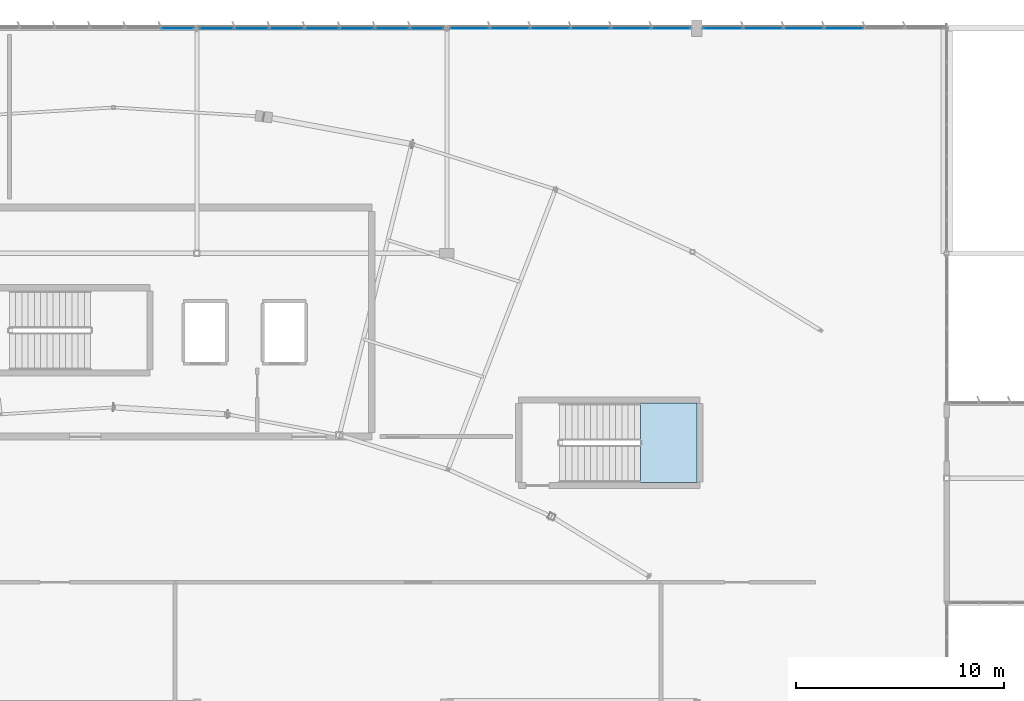
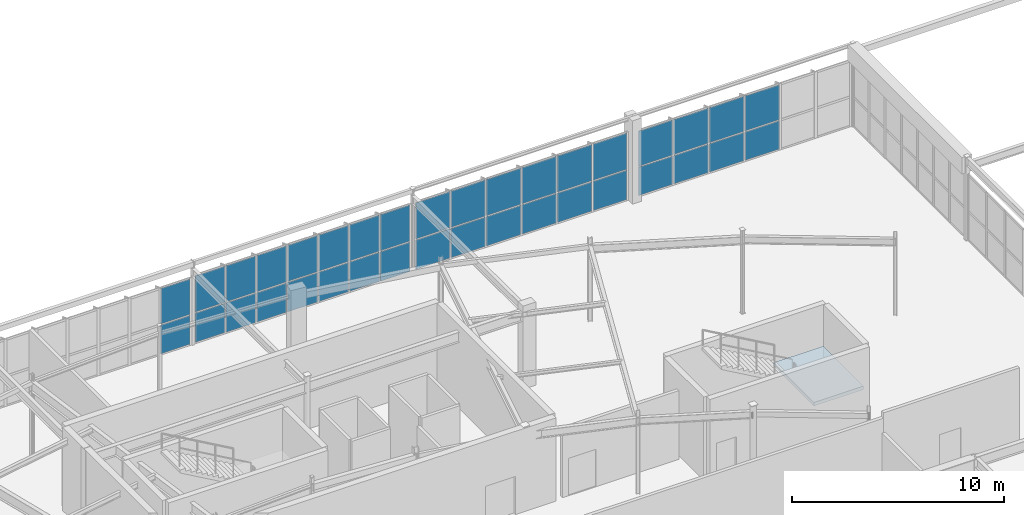
# One storey, part 118 of 186: 36 plates, 1 slab, 5 elements without a shape of their own.
"""IFC4 building model written with IfcOpenShell, lengths in metres."""

from ifc_helpers import new_model, si_unit, direction, frame, origin, origin_2d, place, context, subcontext, project, spatial, polyline, rectangle, outline, extrude, material, layer, layer_set, type_object, element, aggregate, save


model = new_model("IFC4")

# Units and contexts
model_context = context("Model", 3, precision=1e-05, world=origin(), true_north=direction((0.0, 1.0)))
body_context = subcontext(model_context, "Body", "Model", "MODEL_VIEW")
ifc_project = project(units=[si_unit("LENGTHUNIT", "METRE"), si_unit("AREAUNIT", "SQUARE_METRE"), si_unit("VOLUMEUNIT", "CUBIC_METRE"), si_unit("PLANEANGLEUNIT", "RADIAN"), si_unit("MASSUNIT", "GRAM", prefix="KILO")], contexts=[model_context])

# Site, building, storey
site_placement = place(None, origin())
site = spatial("IfcSite", under=ifc_project, at=site_placement, CompositionType="ELEMENT")
building_placement = place(site_placement, origin())
building = spatial("IfcBuilding", under=site, at=building_placement, Name="Tarnwether General Hospital", CompositionType="ELEMENT")
storey_placement = place(building_placement, frame((0.0, 0.0, 9.60009765625)))
storey = spatial("IfcBuildingStorey", under=building, at=storey_placement, Name="L02", CompositionType="ELEMENT", Elevation=9.60009765625)

# Curtain wall, plates
ifc_material_1 = material(Name="Anodised aluminium", Category="aluminium")
ifc_layer_1 = layer(ifc_material_1, 0.159912109375)
ifc_layer_set_1 = layer_set([ifc_layer_1], Name="Anodised aluminium")
curtain_wall_type = type_object("IfcCurtainWallType", Name="CW-17", PredefinedType="NOTDEFINED", material=ifc_layer_set_1)
curtain_wall_1_placement = place(storey_placement, origin())
curtain_wall_1 = element("IfcCurtainWall", 1, at=curtain_wall_1_placement, inside=storey, type_object=curtain_wall_type, Name="Curtain Wall CWG-L02-841_1260-0405", PredefinedType="NOTDEFINED")
ifc_material_2 = material(Name="Double glazed low-E glass", Category="glass")
ifc_layer_2 = layer(ifc_material_2, 0.028076171875)
ifc_layer_set_2 = layer_set([ifc_layer_2], Name="Double glazed low-E glass")
plate_type = type_object("IfcPlateType", Name="PT-CWP1", PredefinedType="CURTAIN_PANEL", material=ifc_layer_set_2)
plate_1_placement = place(storey_placement, frame((95.0556640625, 126.0, 0.059814453125), z_axis=(0.0, 0.0, 1.0), x_axis=(1.0, 0.0, 0.0)))
plate_1 = element("IfcPlate", 2, at=plate_1_placement, type_object=plate_type, Name="CW-17 panel 7.1", PredefinedType="CURTAIN_PANEL", context=body_context, shape_type="SweptSolid", body=[
    extrude(rectangle(XDim=1.600341796875, YDim=0.028076171875, at=origin_2d()), origin(), (0.0, 0.0, 1.0), 1.6591796875),
])
plate_2_placement = place(storey_placement, frame((95.0556640625, 126.0, 1.779052734375), z_axis=(0.0, 0.0, 1.0), x_axis=(1.0, 0.0, 0.0)))
plate_2 = element("IfcPlate", 3, at=plate_2_placement, type_object=plate_type, Name="CW-17 panel 7.2", PredefinedType="CURTAIN_PANEL", context=body_context, shape_type="SweptSolid", body=[
    extrude(rectangle(XDim=1.600341796875, YDim=0.028076171875, at=origin_2d()), origin(), (0.0, 0.0, 1.0), 2.0478515625),
])
aggregate(curtain_wall_1, [plate_1, plate_2])

curtain_wall_2_placement = place(storey_placement, origin())
curtain_wall_2 = element("IfcCurtainWall", 4, at=curtain_wall_2_placement, inside=storey, type_object=curtain_wall_type, Name="Curtain Wall CWG-L02-961_1260-0406", PredefinedType="NOTDEFINED")
plate_3_placement = place(storey_placement, frame((96.942626953125, 126.0, 0.06005859375), z_axis=(0.0, 0.0, 1.0), x_axis=(1.0, 0.0, 0.0)))
plate_3 = element("IfcPlate", 5, at=plate_3_placement, type_object=plate_type, Name="CW-17 panel 1.1", PredefinedType="CURTAIN_PANEL", context=body_context, shape_type="SweptSolid", body=[
    extrude(rectangle(XDim=1.59716796875, YDim=0.028076171875, at=origin_2d()), origin(), (0.0, 0.0, 1.0), 1.689697265625),
])
plate_4_placement = place(storey_placement, frame((96.942626953125, 126.0, 1.8095703125), z_axis=(0.0, 0.0, 1.0), x_axis=(1.0, 0.0, 0.0)))
plate_4 = element("IfcPlate", 6, at=plate_4_placement, type_object=plate_type, Name="CW-17 panel 1.2", PredefinedType="CURTAIN_PANEL", context=body_context, shape_type="SweptSolid", body=[
    extrude(rectangle(XDim=1.59716796875, YDim=0.028076171875, at=origin_2d()), origin(), (0.0, 0.0, 1.0), 2.085205078125),
])
plate_5_placement = place(storey_placement, frame((98.614990234375, 126.0, 0.06005859375), z_axis=(0.0, 0.0, 1.0), x_axis=(1.0, 0.0, 0.0)))
plate_5 = element("IfcPlate", 7, at=plate_5_placement, type_object=plate_type, Name="CW-17 panel 2.1", PredefinedType="CURTAIN_PANEL", context=body_context, shape_type="SweptSolid", body=[
    extrude(rectangle(XDim=1.627197265625, YDim=0.028076171875, at=origin_2d()), origin(), (0.0, 0.0, 1.0), 1.689697265625),
])
plate_6_placement = place(storey_placement, frame((98.614990234375, 126.0, 1.8095703125), z_axis=(0.0, 0.0, 1.0), x_axis=(1.0, 0.0, 0.0)))
plate_6 = element("IfcPlate", 8, at=plate_6_placement, type_object=plate_type, Name="CW-17 panel 2.2", PredefinedType="CURTAIN_PANEL", context=body_context, shape_type="SweptSolid", body=[
    extrude(rectangle(XDim=1.627197265625, YDim=0.028076171875, at=origin_2d()), origin(), (0.0, 0.0, 1.0), 2.085205078125),
])
plate_7_placement = place(storey_placement, frame((100.30224609375, 126.0, 0.06005859375), z_axis=(0.0, 0.0, 1.0), x_axis=(1.0, 0.0, 0.0)))
plate_7 = element("IfcPlate", 9, at=plate_7_placement, type_object=plate_type, Name="CW-17 panel 3.1", PredefinedType="CURTAIN_PANEL", context=body_context, shape_type="SweptSolid", body=[
    extrude(rectangle(XDim=1.627197265625, YDim=0.028076171875, at=origin_2d()), origin(), (0.0, 0.0, 1.0), 1.689697265625),
])
plate_8_placement = place(storey_placement, frame((100.30224609375, 126.0, 1.8095703125), z_axis=(0.0, 0.0, 1.0), x_axis=(1.0, 0.0, 0.0)))
plate_8 = element("IfcPlate", 10, at=plate_8_placement, type_object=plate_type, Name="CW-17 panel 3.2", PredefinedType="CURTAIN_PANEL", context=body_context, shape_type="SweptSolid", body=[
    extrude(rectangle(XDim=1.627197265625, YDim=0.028076171875, at=origin_2d()), origin(), (0.0, 0.0, 1.0), 2.085205078125),
])
plate_9_placement = place(storey_placement, frame((101.989501953125, 126.0, 0.06005859375), z_axis=(0.0, 0.0, 1.0), x_axis=(1.0, 0.0, 0.0)))
plate_9 = element("IfcPlate", 11, at=plate_9_placement, type_object=plate_type, Name="CW-17 panel 4.1", PredefinedType="CURTAIN_PANEL", context=body_context, shape_type="SweptSolid", body=[
    extrude(rectangle(XDim=1.627197265625, YDim=0.028076171875, at=origin_2d()), origin(), (0.0, 0.0, 1.0), 1.689697265625),
])
plate_10_placement = place(storey_placement, frame((101.989501953125, 126.0, 1.8095703125), z_axis=(0.0, 0.0, 1.0), x_axis=(1.0, 0.0, 0.0)))
plate_10 = element("IfcPlate", 12, at=plate_10_placement, type_object=plate_type, Name="CW-17 panel 4.2", PredefinedType="CURTAIN_PANEL", context=body_context, shape_type="SweptSolid", body=[
    extrude(rectangle(XDim=1.627197265625, YDim=0.028076171875, at=origin_2d()), origin(), (0.0, 0.0, 1.0), 2.085205078125),
])
plate_11_placement = place(storey_placement, frame((103.6767578125, 126.0, 0.06005859375), z_axis=(0.0, 0.0, 1.0), x_axis=(1.0, 0.0, 0.0)))
plate_11 = element("IfcPlate", 13, at=plate_11_placement, type_object=plate_type, Name="CW-17 panel 5.1", PredefinedType="CURTAIN_PANEL", context=body_context, shape_type="SweptSolid", body=[
    extrude(rectangle(XDim=1.627197265625, YDim=0.028076171875, at=origin_2d()), origin(), (0.0, 0.0, 1.0), 1.689697265625),
])
plate_12_placement = place(storey_placement, frame((103.6767578125, 126.0, 1.8095703125), z_axis=(0.0, 0.0, 1.0), x_axis=(1.0, 0.0, 0.0)))
plate_12 = element("IfcPlate", 14, at=plate_12_placement, type_object=plate_type, Name="CW-17 panel 5.2", PredefinedType="CURTAIN_PANEL", context=body_context, shape_type="SweptSolid", body=[
    extrude(rectangle(XDim=1.627197265625, YDim=0.028076171875, at=origin_2d()), origin(), (0.0, 0.0, 1.0), 2.085205078125),
])
plate_13_placement = place(storey_placement, frame((105.364013671875, 126.0, 0.06005859375), z_axis=(0.0, 0.0, 1.0), x_axis=(1.0, 0.0, 0.0)))
plate_13 = element("IfcPlate", 15, at=plate_13_placement, type_object=plate_type, Name="CW-17 panel 6.1", PredefinedType="CURTAIN_PANEL", context=body_context, shape_type="SweptSolid", body=[
    extrude(rectangle(XDim=1.627197265625, YDim=0.028076171875, at=origin_2d()), origin(), (0.0, 0.0, 1.0), 1.689697265625),
])
plate_14_placement = place(storey_placement, frame((105.364013671875, 126.0, 1.8095703125), z_axis=(0.0, 0.0, 1.0), x_axis=(1.0, 0.0, 0.0)))
plate_14 = element("IfcPlate", 16, at=plate_14_placement, type_object=plate_type, Name="CW-17 panel 6.2", PredefinedType="CURTAIN_PANEL", context=body_context, shape_type="SweptSolid", body=[
    extrude(rectangle(XDim=1.627197265625, YDim=0.028076171875, at=origin_2d()), origin(), (0.0, 0.0, 1.0), 2.085205078125),
])
plate_15_placement = place(storey_placement, frame((107.036376953125, 126.0, 0.06005859375), z_axis=(0.0, 0.0, 1.0), x_axis=(1.0, 0.0, 0.0)))
plate_15 = element("IfcPlate", 17, at=plate_15_placement, type_object=plate_type, Name="CW-17 panel 7.1", PredefinedType="CURTAIN_PANEL", context=body_context, shape_type="SweptSolid", body=[
    extrude(rectangle(XDim=1.59716796875, YDim=0.028076171875, at=origin_2d()), origin(), (0.0, 0.0, 1.0), 1.689697265625),
])
plate_16_placement = place(storey_placement, frame((107.036376953125, 126.0, 1.8095703125), z_axis=(0.0, 0.0, 1.0), x_axis=(1.0, 0.0, 0.0)))
plate_16 = element("IfcPlate", 18, at=plate_16_placement, type_object=plate_type, Name="CW-17 panel 7.2", PredefinedType="CURTAIN_PANEL", context=body_context, shape_type="SweptSolid", body=[
    extrude(rectangle(XDim=1.59716796875, YDim=0.028076171875, at=origin_2d()), origin(), (0.0, 0.0, 1.0), 2.085205078125),
])
aggregate(curtain_wall_2, [plate_3, plate_4, plate_5, plate_6, plate_7, plate_8, plate_9, plate_10, plate_11, plate_12, plate_13, plate_14, plate_15, plate_16])

curtain_wall_3_placement = place(storey_placement, origin())
curtain_wall_3 = element("IfcCurtainWall", 19, at=curtain_wall_3_placement, inside=storey, type_object=curtain_wall_type, Name="Curtain Wall CWG-L02-1081_1260-0407", PredefinedType="NOTDEFINED")
plate_17_placement = place(storey_placement, frame((109.08984375, 126.0, 0.06005859375), z_axis=(0.0, 0.0, 1.0), x_axis=(1.0, 0.0, 0.0)))
plate_17 = element("IfcPlate", 20, at=plate_17_placement, type_object=plate_type, Name="CW-17 panel 1.1", PredefinedType="CURTAIN_PANEL", context=body_context, shape_type="SweptSolid", body=[
    extrude(rectangle(XDim=1.849609375, YDim=0.028076171875, at=origin_2d()), origin(), (0.0, 0.0, 1.0), 1.691162109375),
])
plate_18_placement = place(storey_placement, frame((109.08984375, 126.0, 1.81103515625), z_axis=(0.0, 0.0, 1.0), x_axis=(1.0, 0.0, 0.0)))
plate_18 = element("IfcPlate", 21, at=plate_18_placement, type_object=plate_type, Name="CW-17 panel 1.2", PredefinedType="CURTAIN_PANEL", context=body_context, shape_type="SweptSolid", body=[
    extrude(rectangle(XDim=1.849609375, YDim=0.028076171875, at=origin_2d()), origin(), (0.0, 0.0, 1.0), 2.0869140625),
])
plate_19_placement = place(storey_placement, frame((111.01416015625, 126.0, 0.06005859375), z_axis=(0.0, 0.0, 1.0), x_axis=(1.0, 0.0, 0.0)))
plate_19 = element("IfcPlate", 22, at=plate_19_placement, type_object=plate_type, Name="CW-17 panel 2.1", PredefinedType="CURTAIN_PANEL", context=body_context, shape_type="SweptSolid", body=[
    extrude(rectangle(XDim=1.87939453125, YDim=0.028076171875, at=origin_2d()), origin(), (0.0, 0.0, 1.0), 1.691162109375),
])
plate_20_placement = place(storey_placement, frame((111.01416015625, 126.0, 1.81103515625), z_axis=(0.0, 0.0, 1.0), x_axis=(1.0, 0.0, 0.0)))
plate_20 = element("IfcPlate", 23, at=plate_20_placement, type_object=plate_type, Name="CW-17 panel 2.2", PredefinedType="CURTAIN_PANEL", context=body_context, shape_type="SweptSolid", body=[
    extrude(rectangle(XDim=1.87939453125, YDim=0.028076171875, at=origin_2d()), origin(), (0.0, 0.0, 1.0), 2.0869140625),
])
plate_21_placement = place(storey_placement, frame((112.953857421875, 126.0, 0.06005859375), z_axis=(0.0, 0.0, 1.0), x_axis=(1.0, 0.0, 0.0)))
plate_21 = element("IfcPlate", 24, at=plate_21_placement, type_object=plate_type, Name="CW-17 panel 3.1", PredefinedType="CURTAIN_PANEL", context=body_context, shape_type="SweptSolid", body=[
    extrude(rectangle(XDim=1.87939453125, YDim=0.028076171875, at=origin_2d()), origin(), (0.0, 0.0, 1.0), 1.691162109375),
])
plate_22_placement = place(storey_placement, frame((112.953857421875, 126.0, 1.81103515625), z_axis=(0.0, 0.0, 1.0), x_axis=(1.0, 0.0, 0.0)))
plate_22 = element("IfcPlate", 25, at=plate_22_placement, type_object=plate_type, Name="CW-17 panel 3.2", PredefinedType="CURTAIN_PANEL", context=body_context, shape_type="SweptSolid", body=[
    extrude(rectangle(XDim=1.87939453125, YDim=0.028076171875, at=origin_2d()), origin(), (0.0, 0.0, 1.0), 2.0869140625),
])
plate_23_placement = place(storey_placement, frame((114.893310546875, 126.0, 0.06005859375), z_axis=(0.0, 0.0, 1.0), x_axis=(1.0, 0.0, 0.0)))
plate_23 = element("IfcPlate", 26, at=plate_23_placement, type_object=plate_type, Name="CW-17 panel 4.1", PredefinedType="CURTAIN_PANEL", context=body_context, shape_type="SweptSolid", body=[
    extrude(rectangle(XDim=1.87939453125, YDim=0.028076171875, at=origin_2d()), origin(), (0.0, 0.0, 1.0), 1.691162109375),
])
plate_24_placement = place(storey_placement, frame((114.893310546875, 126.0, 1.81103515625), z_axis=(0.0, 0.0, 1.0), x_axis=(1.0, 0.0, 0.0)))
plate_24 = element("IfcPlate", 27, at=plate_24_placement, type_object=plate_type, Name="CW-17 panel 4.2", PredefinedType="CURTAIN_PANEL", context=body_context, shape_type="SweptSolid", body=[
    extrude(rectangle(XDim=1.87939453125, YDim=0.028076171875, at=origin_2d()), origin(), (0.0, 0.0, 1.0), 2.0869140625),
])
plate_25_placement = place(storey_placement, frame((116.832763671875, 126.0, 0.06005859375), z_axis=(0.0, 0.0, 1.0), x_axis=(1.0, 0.0, 0.0)))
plate_25 = element("IfcPlate", 28, at=plate_25_placement, type_object=plate_type, Name="CW-17 panel 5.1", PredefinedType="CURTAIN_PANEL", context=body_context, shape_type="SweptSolid", body=[
    extrude(rectangle(XDim=1.87939453125, YDim=0.028076171875, at=origin_2d()), origin(), (0.0, 0.0, 1.0), 1.691162109375),
])
plate_26_placement = place(storey_placement, frame((116.832763671875, 126.0, 1.81103515625), z_axis=(0.0, 0.0, 1.0), x_axis=(1.0, 0.0, 0.0)))
plate_26 = element("IfcPlate", 29, at=plate_26_placement, type_object=plate_type, Name="CW-17 panel 5.2", PredefinedType="CURTAIN_PANEL", context=body_context, shape_type="SweptSolid", body=[
    extrude(rectangle(XDim=1.87939453125, YDim=0.028076171875, at=origin_2d()), origin(), (0.0, 0.0, 1.0), 2.0869140625),
])
plate_27_placement = place(storey_placement, frame((118.75732421875, 126.0, 0.06005859375), z_axis=(0.0, 0.0, 1.0), x_axis=(1.0, 0.0, 0.0)))
plate_27 = element("IfcPlate", 30, at=plate_27_placement, type_object=plate_type, Name="CW-17 panel 6.1", PredefinedType="CURTAIN_PANEL", context=body_context, shape_type="SweptSolid", body=[
    extrude(rectangle(XDim=1.849609375, YDim=0.028076171875, at=origin_2d()), origin(), (0.0, 0.0, 1.0), 1.691162109375),
])
plate_28_placement = place(storey_placement, frame((118.75732421875, 126.0, 1.81103515625), z_axis=(0.0, 0.0, 1.0), x_axis=(1.0, 0.0, 0.0)))
plate_28 = element("IfcPlate", 31, at=plate_28_placement, type_object=plate_type, Name="CW-17 panel 6.2", PredefinedType="CURTAIN_PANEL", context=body_context, shape_type="SweptSolid", body=[
    extrude(rectangle(XDim=1.849609375, YDim=0.028076171875, at=origin_2d()), origin(), (0.0, 0.0, 1.0), 2.0869140625),
])
aggregate(curtain_wall_3, [plate_17, plate_18, plate_19, plate_20, plate_21, plate_22, plate_23, plate_24, plate_25, plate_26, plate_27, plate_28])

curtain_wall_4_placement = place(storey_placement, origin())
curtain_wall_4 = element("IfcCurtainWall", 32, at=curtain_wall_4_placement, inside=storey, type_object=curtain_wall_type, Name="Curtain Wall CWG-L02-1203_1260-0408", PredefinedType="NOTDEFINED")
plate_29_placement = place(storey_placement, frame((121.24462890625, 126.0, 0.059814453125), z_axis=(0.0, 0.0, 1.0), x_axis=(1.0, 0.0, 0.0)))
plate_29 = element("IfcPlate", 33, at=plate_29_placement, type_object=plate_type, Name="CW-17 panel 1.1", PredefinedType="CURTAIN_PANEL", context=body_context, shape_type="SweptSolid", body=[
    extrude(rectangle(XDim=1.853271484375, YDim=0.028076171875, at=origin_2d()), origin(), (0.0, 0.0, 1.0), 1.6357421875),
])
plate_30_placement = place(storey_placement, frame((121.24462890625, 126.0, 1.75537109375), z_axis=(0.0, 0.0, 1.0), x_axis=(1.0, 0.0, 0.0)))
plate_30 = element("IfcPlate", 34, at=plate_30_placement, type_object=plate_type, Name="CW-17 panel 1.2", PredefinedType="CURTAIN_PANEL", context=body_context, shape_type="SweptSolid", body=[
    extrude(rectangle(XDim=1.853271484375, YDim=0.028076171875, at=origin_2d()), origin(), (0.0, 0.0, 1.0), 2.019287109375),
])
plate_31_placement = place(storey_placement, frame((123.1728515625, 126.0, 0.059814453125), z_axis=(0.0, 0.0, 1.0), x_axis=(1.0, 0.0, 0.0)))
plate_31 = element("IfcPlate", 35, at=plate_31_placement, type_object=plate_type, Name="CW-17 panel 2.1", PredefinedType="CURTAIN_PANEL", context=body_context, shape_type="SweptSolid", body=[
    extrude(rectangle(XDim=1.883056640625, YDim=0.028076171875, at=origin_2d()), origin(), (0.0, 0.0, 1.0), 1.6357421875),
])
plate_32_placement = place(storey_placement, frame((123.1728515625, 126.0, 1.75537109375), z_axis=(0.0, 0.0, 1.0), x_axis=(1.0, 0.0, 0.0)))
plate_32 = element("IfcPlate", 36, at=plate_32_placement, type_object=plate_type, Name="CW-17 panel 2.2", PredefinedType="CURTAIN_PANEL", context=body_context, shape_type="SweptSolid", body=[
    extrude(rectangle(XDim=1.883056640625, YDim=0.028076171875, at=origin_2d()), origin(), (0.0, 0.0, 1.0), 2.019287109375),
])
plate_33_placement = place(storey_placement, frame((125.115966796875, 126.0, 0.059814453125), z_axis=(0.0, 0.0, 1.0), x_axis=(1.0, 0.0, 0.0)))
plate_33 = element("IfcPlate", 37, at=plate_33_placement, type_object=plate_type, Name="CW-17 panel 3.1", PredefinedType="CURTAIN_PANEL", context=body_context, shape_type="SweptSolid", body=[
    extrude(rectangle(XDim=1.883056640625, YDim=0.028076171875, at=origin_2d()), origin(), (0.0, 0.0, 1.0), 1.6357421875),
])
plate_34_placement = place(storey_placement, frame((125.115966796875, 126.0, 1.75537109375), z_axis=(0.0, 0.0, 1.0), x_axis=(1.0, 0.0, 0.0)))
plate_34 = element("IfcPlate", 38, at=plate_34_placement, type_object=plate_type, Name="CW-17 panel 3.2", PredefinedType="CURTAIN_PANEL", context=body_context, shape_type="SweptSolid", body=[
    extrude(rectangle(XDim=1.883056640625, YDim=0.028076171875, at=origin_2d()), origin(), (0.0, 0.0, 1.0), 2.019287109375),
])
plate_35_placement = place(storey_placement, frame((127.05908203125, 126.0, 0.059814453125), z_axis=(0.0, 0.0, 1.0), x_axis=(1.0, 0.0, 0.0)))
plate_35 = element("IfcPlate", 39, at=plate_35_placement, type_object=plate_type, Name="CW-17 panel 4.1", PredefinedType="CURTAIN_PANEL", context=body_context, shape_type="SweptSolid", body=[
    extrude(rectangle(XDim=1.883056640625, YDim=0.028076171875, at=origin_2d()), origin(), (0.0, 0.0, 1.0), 1.6357421875),
])
plate_36_placement = place(storey_placement, frame((127.05908203125, 126.0, 1.75537109375), z_axis=(0.0, 0.0, 1.0), x_axis=(1.0, 0.0, 0.0)))
plate_36 = element("IfcPlate", 40, at=plate_36_placement, type_object=plate_type, Name="CW-17 panel 4.2", PredefinedType="CURTAIN_PANEL", context=body_context, shape_type="SweptSolid", body=[
    extrude(rectangle(XDim=1.883056640625, YDim=0.028076171875, at=origin_2d()), origin(), (0.0, 0.0, 1.0), 2.019287109375),
])
aggregate(curtain_wall_4, [plate_29, plate_30, plate_31, plate_32, plate_33, plate_34, plate_35, plate_36])

# Stair, slab
ifc_material_3 = material(Name="Concrete 40 MPa", Category="concrete")
stair_type = type_object("IfcStairType", Name="ST-DL48B", PredefinedType="HALF_TURN_STAIR", material=ifc_material_3)
stair_placement = place(storey_placement, origin())
stair = element("IfcStair", 41, at=stair_placement, inside=storey, type_object=stair_type, Name="L02 Exit Stair ST-08", PredefinedType="HALF_TURN_STAIR")
ifc_material_4 = material(Name="Concrete 40 MPa", Category="concrete")
ifc_layer_3 = layer(ifc_material_4, 0.199951171875)
ifc_layer_set_3 = layer_set([ifc_layer_3], Name="Concrete 40 MPa")
slab_type = type_object("IfcSlabType", Name="SL-LD200", PredefinedType="LANDING", material=ifc_layer_set_3)
slab_placement = place(storey_placement, frame((0.0, 0.0, 2.199951171875)))
slab = element("IfcSlab", 42, at=slab_placement, type_object=slab_type, Name="ST-08 landing 1", PredefinedType="LANDING", context=body_context, shape_type="SweptSolid", body=[
    extrude(outline(polyline([(117.300048828125, 104.199951171875), (120.0, 104.199951171875), (120.0, 108.0), (117.300048828125, 108.0), (117.300048828125, 104.199951171875)])), origin(), (0.0, 0.0, 1.0), 0.199951171875),
])
aggregate(stair, [slab])

save(model, "model.ifc")
